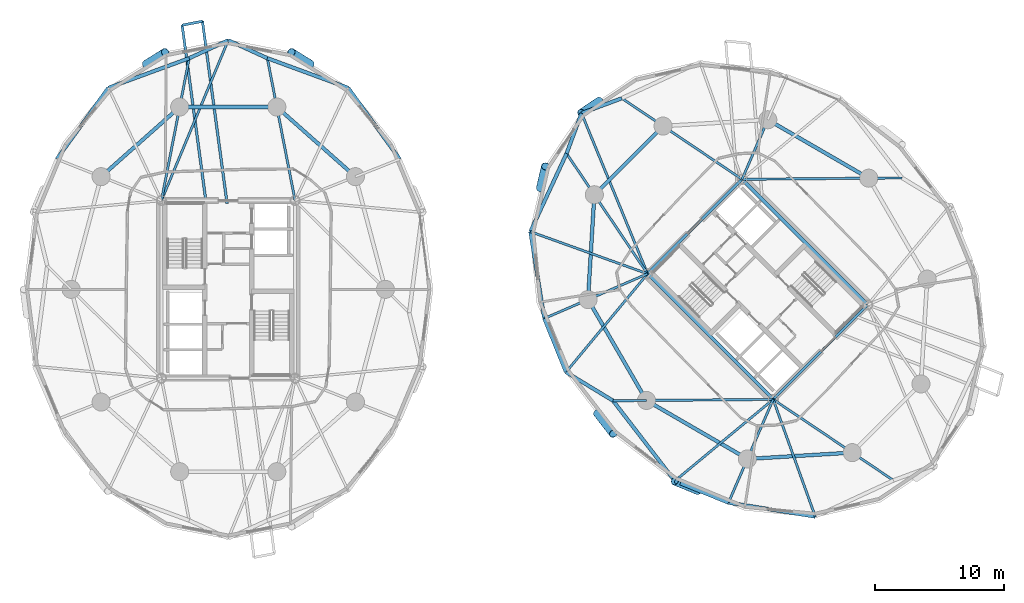
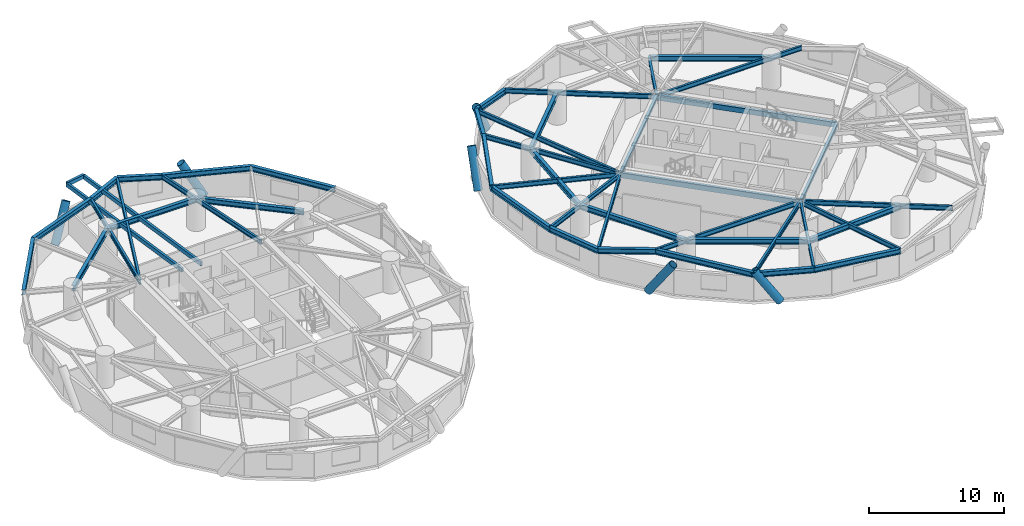
# One storey, part 5 of 16: 48 beams, 6 members.
"""IFC4 building model written with IfcOpenShell, lengths in metres."""

from ifc_helpers import new_model, si_unit, direction, frame, origin, origin_2d, place, context, subcontext, project, spatial, hollow_rectangle, hollow_circle, i_section, extrude, material, material_profile, profile_set, type_object, element, save


model = new_model("IFC4")

# Units and contexts
model_context = context("Model", 3, precision=1e-05, world=origin(), true_north=direction((0.0, 1.0)))
body_context = subcontext(model_context, "Body", "Model", "MODEL_VIEW")
ifc_project = project(units=[si_unit("LENGTHUNIT", "METRE"), si_unit("AREAUNIT", "SQUARE_METRE"), si_unit("VOLUMEUNIT", "CUBIC_METRE"), si_unit("PLANEANGLEUNIT", "RADIAN"), si_unit("MASSUNIT", "GRAM", prefix="KILO")], contexts=[model_context])

# Site, building, storey
site_placement = place(None, origin())
site = spatial("IfcSite", under=ifc_project, at=site_placement, CompositionType="ELEMENT")
building_placement = place(site_placement, origin())
building = spatial("IfcBuilding", under=site, at=building_placement, Name="Cununo Teusaquillo Station Towers", CompositionType="ELEMENT")
storey_placement = place(building_placement, frame((0.0, 0.0, 73.06005859375)))
storey = spatial("IfcBuildingStorey", under=building, at=storey_placement, Name="L22", CompositionType="ELEMENT", Elevation=73.06005859375)

# Beams
ifc_material_1 = material(Name="Steel EN 10025-2 S355J2", Category="steel")
ifc_material_profile_1 = material_profile(ifc_material_1, hollow_rectangle(XDim=0.199951171875, YDim=0.35009765625, WallThickness=0.013916015625, at=origin_2d()), Name="RHS 350x200x14")
ifc_profile_set_1 = profile_set([ifc_material_profile_1], Name="Steel EN 10025-2 S355J2")
beam_type_1 = type_object("IfcBeamType", Name="BM-BAL-CANT", PredefinedType="BEAM", material=ifc_profile_set_1)
beam_1_placement = place(storey_placement, frame((16.40869140625, 31.14990234375, 2.494873046875), z_axis=(-0.133936551357, 0.990989909237, 0.0), x_axis=(-0.990989909237, -0.133936551357, 0.0)))
element("IfcBeam", 1, at=beam_1_placement, inside=storey, type_object=beam_type_1, Name="L22 Tower A Balcony Cantilever Bracket 1A", PredefinedType="BEAM", context=body_context, shape_type="SweptSolid", body=[
    extrude(hollow_rectangle(XDim=0.199951171875, YDim=0.35009765625, WallThickness=0.013916015625, at=origin_2d()), origin(), (0.0, 0.0, 1.0), 14.24169921875),
])
beam_2_placement = place(storey_placement, frame((14.793701171875, 31.14990234375, 2.494873046875), z_axis=(-0.133960678738, 0.990986648019, 0.0), x_axis=(-0.990986648019, -0.133960678738, 0.0)))
element("IfcBeam", 2, at=beam_2_placement, inside=storey, type_object=beam_type_1, Name="L22 Tower A Balcony Cantilever Bracket 1B", PredefinedType="BEAM", context=body_context, shape_type="SweptSolid", body=[
    extrude(hollow_rectangle(XDim=0.199951171875, YDim=0.35009765625, WallThickness=0.013916015625, at=origin_2d()), origin(), (0.0, 0.0, 1.0), 13.9345703125),
])
ifc_material_2 = material(Name="Steel EN 10025-2 S355J2", Category="steel")
ifc_material_profile_2 = material_profile(ifc_material_2, hollow_rectangle(XDim=0.25, YDim=0.449951171875, WallThickness=0.01611328125, at=origin_2d()), Name="RHS 450x250x16")
ifc_profile_set_2 = profile_set([ifc_material_profile_2], Name="Steel EN 10025-2 S355J2")
beam_type_2 = type_object("IfcBeamType", Name="BM-COUP-1", PredefinedType="USERDEFINED", material=ifc_profile_set_2)
for number, where, z_axis, x_axis, name in (
    (3, (58.70556640625, 15.975830078125, 2.44482421875), (-0.707106781187, 0.707106781187, 0.0), (-0.707106781187, -0.707106781187, 0.0), "L22 Tower B Core Beam 1"),
    (4, (66.024169921875, 23.29443359375, 2.44482421875), (-0.707106781187, 0.707106781187, 0.0), (-0.707106781187, -0.707106781187, 0.0), "L22 Tower B Core Beam 2"),
):
    element("IfcBeam", number, at=place(storey_placement, frame(where, z_axis=z_axis, x_axis=x_axis)), inside=storey, type_object=beam_type_2, Name=name, ObjectType="COUPLING BEAM", PredefinedType="USERDEFINED", context=body_context, shape_type="SweptSolid", body=[
        extrude(hollow_rectangle(XDim=0.25, YDim=0.449951171875, WallThickness=0.01611328125, at=origin_2d()), origin(), (0.0, 0.0, 1.0), 13.760009765625),
    ])
ifc_material_3 = material(Name="Steel ASTM A572 Grade 50", Category="steel")
ifc_material_profile_3 = material_profile(ifc_material_3, i_section(OverallWidth=0.180908203125, OverallDepth=0.4169921875, WebThickness=0.010986328125, FlangeThickness=0.018310546875, FilletRadius=0.012939453125, at=origin_2d()), Name="W16X57")
ifc_profile_set_3 = profile_set([ifc_material_profile_3], Name="Steel ASTM A572 Grade 50")
beam_type_3 = type_object("IfcBeamType", Name="BM-JOIST-1", PredefinedType="JOIST", material=ifc_profile_set_3)
beam_3_placement = place(storey_placement, frame((11.324951171875, 31.3798828125, 2.46142578125), z_axis=(0.38487837995, 0.922967297713, 0.0), x_axis=(-0.922967297713, 0.38487837995, 0.0)))
element("IfcBeam", 5, at=beam_3_placement, inside=storey, type_object=beam_type_3, Name="L22 Tower A Radial Spandrel Joist V05", PredefinedType="JOIST", context=body_context, shape_type="SweptSolid", body=[
    extrude(i_section(OverallWidth=0.180908203125, OverallDepth=0.4169921875, WebThickness=0.010986328125, FlangeThickness=0.018310546875, FilletRadius=0.012939453125, at=origin_2d()), origin(), (0.0, 0.0, 1.0), 13.446044921875),
])
beam_4_placement = place(storey_placement, frame((48.975830078125, 25.70556640625, 2.46142578125), z_axis=(-0.380485864505, 0.924786735908, 0.0), x_axis=(-0.924786735908, -0.380485864505, 0.0)))
element("IfcBeam", 6, at=beam_4_placement, inside=storey, type_object=beam_type_3, Name="L22 Tower B Radial Spandrel Joist V05", PredefinedType="JOIST", context=body_context, shape_type="SweptSolid", body=[
    extrude(i_section(OverallWidth=0.180908203125, OverallDepth=0.4169921875, WebThickness=0.010986328125, FlangeThickness=0.018310546875, FilletRadius=0.012939453125, at=origin_2d()), origin(), (0.0, 0.0, 1.0), 13.44580078125),
])
beam_5_placement = place(storey_placement, frame((48.975830078125, 25.70556640625, 2.46142578125), z_axis=(-0.941082771055, 0.338176312038, 0.0), x_axis=(-0.338176312038, -0.941082771055, 0.0)))
element("IfcBeam", 7, at=beam_5_placement, inside=storey, type_object=beam_type_3, Name="L22 Tower B Radial Spandrel Joist V07", PredefinedType="JOIST", context=body_context, shape_type="SweptSolid", body=[
    extrude(i_section(OverallWidth=0.180908203125, OverallDepth=0.4169921875, WebThickness=0.010986328125, FlangeThickness=0.018310546875, FilletRadius=0.012939453125, at=origin_2d()), origin(), (0.0, 0.0, 1.0), 9.646484375),
])
for number, where, z_axis, x_axis, name in (
    (8, (48.975830078125, 25.70556640625, 2.46142578125), (-0.638372238196, -0.769727799615, 0.0), (0.769727799615, -0.638372238196, 0.0), "L22 Tower B Radial Spandrel Joist V09"),
    (9, (58.70556640625, 15.975830078125, 2.46142578125), (-0.769727799615, -0.638372238196, 0.0), (0.638372238196, -0.769727799615, 0.0), "L22 Tower B Radial Spandrel Joist V11"),
):
    element("IfcBeam", number, at=place(storey_placement, frame(where, z_axis=z_axis, x_axis=x_axis)), inside=storey, type_object=beam_type_3, Name=name, PredefinedType="JOIST", context=body_context, shape_type="SweptSolid", body=[
        extrude(i_section(OverallWidth=0.180908203125, OverallDepth=0.4169921875, WebThickness=0.010986328125, FlangeThickness=0.018310546875, FilletRadius=0.012939453125, at=origin_2d()), origin(), (0.0, 0.0, 1.0), 9.895263671875),
    ])
beam_6_placement = place(storey_placement, frame((58.70556640625, 15.975830078125, 2.46142578125), z_axis=(0.338176312038, -0.941082771055, 0.0), x_axis=(0.941082771055, 0.338176312038, 0.0)))
element("IfcBeam", 10, at=beam_6_placement, inside=storey, type_object=beam_type_3, Name="L22 Tower B Radial Spandrel Joist V13", PredefinedType="JOIST", context=body_context, shape_type="SweptSolid", body=[
    extrude(i_section(OverallWidth=0.180908203125, OverallDepth=0.4169921875, WebThickness=0.010986328125, FlangeThickness=0.018310546875, FilletRadius=0.012939453125, at=origin_2d()), origin(), (0.0, 0.0, 1.0), 9.646484375),
])
ifc_material_4 = material(Name="Steel ASTM A572 Grade 50", Category="steel")
ifc_material_profile_4 = material_profile(ifc_material_4, i_section(OverallWidth=0.2041015625, OverallDepth=0.35009765625, WebThickness=0.008544921875, FlangeThickness=0.01513671875, FilletRadius=0.011962890625, at=origin_2d()), Name="W14X48")
ifc_profile_set_4 = profile_set([ifc_material_profile_4], Name="Steel ASTM A572 Grade 50")
beam_type_4 = type_object("IfcBeamType", Name="BM-LINTEL-1", PredefinedType="LINTEL", material=ifc_profile_set_4)
for number, where, z_axis, x_axis, name in (
    (11, (58.70556640625, 15.975830078125, 2.494873046875), (0.707106781187, 0.707106781187, 0.0), (-0.707106781187, 0.707106781187, 0.0), "L22 Tower B Core Beam 3"),
    (12, (48.975830078125, 25.70556640625, 2.494873046875), (0.707106781187, 0.707106781187, 0.0), (-0.707106781187, 0.707106781187, 0.0), "L22 Tower B Core Beam 4"),
):
    element("IfcBeam", number, at=place(storey_placement, frame(where, z_axis=z_axis, x_axis=x_axis)), inside=storey, type_object=beam_type_4, Name=name, PredefinedType="LINTEL", context=body_context, shape_type="SweptSolid", body=[
        extrude(i_section(OverallWidth=0.2041015625, OverallDepth=0.35009765625, WebThickness=0.008544921875, FlangeThickness=0.01513671875, FilletRadius=0.011962890625, at=origin_2d()), origin(), (0.0, 0.0, 1.0), 10.35009765625),
    ])
ifc_material_5 = material(Name="Steel ASTM A572 Grade 50", Category="steel")
ifc_material_profile_5 = material_profile(ifc_material_5, i_section(OverallWidth=0.180908203125, OverallDepth=0.4169921875, WebThickness=0.010986328125, FlangeThickness=0.018310546875, FilletRadius=0.012939453125, at=origin_2d()), Name="W16X57")
ifc_profile_set_5 = profile_set([ifc_material_profile_5], Name="Steel ASTM A572 Grade 50")
beam_type_5 = type_object("IfcBeamType", Name="BM-RAD-G2", PredefinedType="BEAM", material=ifc_profile_set_5)
for number, where, z_axis, x_axis, name in (
    (13, (21.675048828125, 31.3798828125, 2.46142578125), (-0.191552755713, 0.981482318628, 0.0), (-0.981482318628, -0.191552755713, 0.0), "L22 Tower A Continuous Overhanging Radial Girder 03"),
    (14, (11.324951171875, 31.3798828125, 2.46142578125), (0.191552755713, 0.981482318628, 0.0), (-0.981482318628, 0.191552755713, 0.0), "L22 Tower A Continuous Overhanging Radial Girder 04"),
):
    element("IfcBeam", number, at=place(storey_placement, frame(where, z_axis=z_axis, x_axis=x_axis)), inside=storey, type_object=beam_type_5, Name=name, PredefinedType="BEAM", context=body_context, shape_type="SweptSolid", body=[
        extrude(i_section(OverallWidth=0.180908203125, OverallDepth=0.4169921875, WebThickness=0.010986328125, FlangeThickness=0.018310546875, FilletRadius=0.012939453125, at=origin_2d()), origin(), (0.0, 0.0, 1.0), 11.22998046875),
    ])
beam_7_placement = place(storey_placement, frame((56.29443359375, 33.024169921875, 2.46142578125), z_axis=(0.999964331255, 0.008446077024, 0.0), x_axis=(-0.008446077024, 0.999964331255, 0.0)))
element("IfcBeam", 15, at=beam_7_placement, inside=storey, type_object=beam_type_5, Name="L22 Tower B Continuous Overhanging Radial Girder 01", PredefinedType="BEAM", context=body_context, shape_type="SweptSolid", body=[
    extrude(i_section(OverallWidth=0.180908203125, OverallDepth=0.4169921875, WebThickness=0.010986328125, FlangeThickness=0.018310546875, FilletRadius=0.012939453125, at=origin_2d()), origin(), (0.0, 0.0, 1.0), 12.400634765625),
])
beam_8_placement = place(storey_placement, frame((56.29443359375, 33.024169921875, 2.46142578125), z_axis=(0.397346986387, 0.917668443616, 0.0), x_axis=(-0.917668443616, 0.397346986387, 0.0)))
element("IfcBeam", 16, at=beam_8_placement, inside=storey, type_object=beam_type_5, Name="L22 Tower B Radial Girder 02A", PredefinedType="BEAM", context=body_context, shape_type="SweptSolid", body=[
    extrude(i_section(OverallWidth=0.180908203125, OverallDepth=0.4169921875, WebThickness=0.010986328125, FlangeThickness=0.018310546875, FilletRadius=0.012939453125, at=origin_2d()), origin(), (0.0, 0.0, 1.0), 5.02490234375),
])
for number, where, z_axis, x_axis, name in (
    (17, (56.29443359375, 33.024169921875, 2.46142578125), (-0.82945583878, 0.558572297481, 0.0), (-0.558572297481, -0.82945583878, 0.0), "L22 Tower B Continuous Overhanging Radial Girder 03"),
    (18, (48.975830078125, 25.70556640625, 2.46142578125), (-0.558572297481, 0.82945583878, 0.0), (-0.82945583878, -0.558572297481, 0.0), "L22 Tower B Continuous Overhanging Radial Girder 04"),
):
    element("IfcBeam", number, at=place(storey_placement, frame(where, z_axis=z_axis, x_axis=x_axis)), inside=storey, type_object=beam_type_5, Name=name, PredefinedType="BEAM", context=body_context, shape_type="SweptSolid", body=[
        extrude(i_section(OverallWidth=0.180908203125, OverallDepth=0.4169921875, WebThickness=0.010986328125, FlangeThickness=0.018310546875, FilletRadius=0.012939453125, at=origin_2d()), origin(), (0.0, 0.0, 1.0), 11.22998046875),
    ])
beam_9_placement = place(storey_placement, frame((48.975830078125, 25.70556640625, 2.46142578125), z_axis=(-0.917654733344, -0.397378648609, 0.0), x_axis=(0.397378648609, -0.917654733344, 0.0)))
element("IfcBeam", 19, at=beam_9_placement, inside=storey, type_object=beam_type_5, Name="L22 Tower B Continuous Overhanging Radial Girder 05", PredefinedType="BEAM", context=body_context, shape_type="SweptSolid", body=[
    extrude(i_section(OverallWidth=0.180908203125, OverallDepth=0.4169921875, WebThickness=0.010986328125, FlangeThickness=0.018310546875, FilletRadius=0.012939453125, at=origin_2d()), origin(), (0.0, 0.0, 1.0), 8.71484375),
])
beam_10_placement = place(storey_placement, frame((58.70556640625, 15.975830078125, 2.46142578125), z_axis=(-0.999964431382, -0.008434214327, 0.0), x_axis=(0.008434214327, -0.999964431382, 0.0)))
element("IfcBeam", 20, at=beam_10_placement, inside=storey, type_object=beam_type_5, Name="L22 Tower B Radial Girder 06A", PredefinedType="BEAM", context=body_context, shape_type="SweptSolid", body=[
    extrude(i_section(OverallWidth=0.180908203125, OverallDepth=0.4169921875, WebThickness=0.010986328125, FlangeThickness=0.018310546875, FilletRadius=0.012939453125, at=origin_2d()), origin(), (0.0, 0.0, 1.0), 9.812744140625),
])
beam_11_placement = place(storey_placement, frame((48.89306640625, 15.89306640625, 2.46142578125), z_axis=(-0.999963950292, -0.008491060999, 0.0), x_axis=(0.008491060999, -0.999963950292, 0.0)))
element("IfcBeam", 21, at=beam_11_placement, inside=storey, type_object=beam_type_5, Name="L22 Tower B Perimeter Overhang Girder 06B", PredefinedType="BEAM", context=body_context, shape_type="SweptSolid", body=[
    extrude(i_section(OverallWidth=0.180908203125, OverallDepth=0.4169921875, WebThickness=0.010986328125, FlangeThickness=0.018310546875, FilletRadius=0.012939453125, at=origin_2d()), origin(), (0.0, 0.0, 1.0), 2.587646484375),
])
beam_12_placement = place(storey_placement, frame((58.70556640625, 15.975830078125, 2.46142578125), z_axis=(-0.397378648609, -0.917654733344, 0.0), x_axis=(0.917654733344, -0.397378648609, 0.0)))
element("IfcBeam", 22, at=beam_12_placement, inside=storey, type_object=beam_type_5, Name="L22 Tower B Continuous Overhanging Radial Girder 07", PredefinedType="BEAM", context=body_context, shape_type="SweptSolid", body=[
    extrude(i_section(OverallWidth=0.180908203125, OverallDepth=0.4169921875, WebThickness=0.010986328125, FlangeThickness=0.018310546875, FilletRadius=0.012939453125, at=origin_2d()), origin(), (0.0, 0.0, 1.0), 8.71484375),
])
beam_13_placement = place(storey_placement, frame((58.70556640625, 15.975830078125, 2.46142578125), z_axis=(0.82945583878, -0.558572297481, 0.0), x_axis=(0.558572297481, 0.82945583878, 0.0)))
element("IfcBeam", 23, at=beam_13_placement, inside=storey, type_object=beam_type_5, Name="L22 Tower B Continuous Overhanging Radial Girder 08", PredefinedType="BEAM", context=body_context, shape_type="SweptSolid", body=[
    extrude(i_section(OverallWidth=0.180908203125, OverallDepth=0.4169921875, WebThickness=0.010986328125, FlangeThickness=0.018310546875, FilletRadius=0.012939453125, at=origin_2d()), origin(), (0.0, 0.0, 1.0), 11.22998046875),
])
ifc_material_6 = material(Name="Steel ASTM A572 Grade 50", Category="steel")
ifc_material_profile_6 = material_profile(ifc_material_6, i_section(OverallWidth=0.280029296875, OverallDepth=0.462890625, WebThickness=0.0107421875, FlangeThickness=0.017333984375, FilletRadius=0.013916015625, at=origin_2d()), Name="W18X76")
ifc_profile_set_6 = profile_set([ifc_material_profile_6], Name="Steel ASTM A572 Grade 50")
beam_type_6 = type_object("IfcBeamType", Name="BM-RING-Z2", PredefinedType="SPANDREL", material=ifc_profile_set_6)
beam_14_placement = place(storey_placement, frame((26.347412109375, 33.228515625, 2.4384765625), z_axis=(-0.74832120039, 0.66333655187, 0.0), x_axis=(-0.66333655187, -0.74832120039, 0.0)))
element("IfcBeam", 24, at=beam_14_placement, inside=storey, type_object=beam_type_6, Name="L22 Tower A Structural Column Ring Girder 02", PredefinedType="SPANDREL", context=body_context, shape_type="SweptSolid", body=[
    extrude(i_section(OverallWidth=0.280029296875, OverallDepth=0.462890625, WebThickness=0.0107421875, FlangeThickness=0.017333984375, FilletRadius=0.013916015625, at=origin_2d()), origin(), (0.0, 0.0, 1.0), 8.1328125),
])
beam_15_placement = place(storey_placement, frame((20.261474609375, 38.623291015625, 2.4384765625), z_axis=(-1.0, 0.0, 0.0), x_axis=(0.0, -1.0, 0.0)))
element("IfcBeam", 25, at=beam_15_placement, inside=storey, type_object=beam_type_6, Name="L22 Tower A Structural Column Ring Girder 03", PredefinedType="SPANDREL", context=body_context, shape_type="SweptSolid", body=[
    extrude(i_section(OverallWidth=0.280029296875, OverallDepth=0.462890625, WebThickness=0.0107421875, FlangeThickness=0.017333984375, FilletRadius=0.013916015625, at=origin_2d()), origin(), (0.0, 0.0, 1.0), 7.52294921875),
])
beam_16_placement = place(storey_placement, frame((12.738525390625, 38.623291015625, 2.4384765625), z_axis=(-0.74832120039, -0.66333655187, 0.0), x_axis=(0.66333655187, -0.74832120039, 0.0)))
element("IfcBeam", 26, at=beam_16_placement, inside=storey, type_object=beam_type_6, Name="L22 Tower A Structural Column Ring Girder 04", PredefinedType="SPANDREL", context=body_context, shape_type="SweptSolid", body=[
    extrude(i_section(OverallWidth=0.280029296875, OverallDepth=0.462890625, WebThickness=0.0107421875, FlangeThickness=0.017333984375, FilletRadius=0.013916015625, at=origin_2d()), origin(), (0.0, 0.0, 1.0), 8.1328125),
])
beam_17_placement = place(storey_placement, frame((29.77880859375, 34.586181640625, 2.4384765625), z_axis=(-0.58594455724, 0.810351143543, 0.0), x_axis=(-0.810351143543, -0.58594455724, 0.0)))
element("IfcBeam", 27, at=beam_17_placement, inside=storey, type_object=beam_type_6, Name="L22 Tower A Spandrel Ring Beam 03", PredefinedType="SPANDREL", context=body_context, shape_type="SweptSolid", body=[
    extrude(i_section(OverallWidth=0.280029296875, OverallDepth=0.462890625, WebThickness=0.0107421875, FlangeThickness=0.017333984375, FilletRadius=0.013916015625, at=origin_2d()), origin(), (0.0, 0.0, 1.0), 6.8115234375),
])
beam_18_placement = place(storey_placement, frame((25.78759765625, 40.10595703125, 2.4384765625), z_axis=(-0.938914161016, 0.34415141761, 0.0), x_axis=(-0.34415141761, -0.938914161016, 0.0)))
element("IfcBeam", 28, at=beam_18_placement, inside=storey, type_object=beam_type_6, Name="L22 Tower A Spandrel Ring Beam 04", PredefinedType="SPANDREL", context=body_context, shape_type="SweptSolid", body=[
    extrude(i_section(OverallWidth=0.280029296875, OverallDepth=0.462890625, WebThickness=0.0107421875, FlangeThickness=0.017333984375, FilletRadius=0.013916015625, at=origin_2d()), origin(), (0.0, 0.0, 1.0), 6.671142578125),
])
for number, where, z_axis, x_axis, name in (
    (29, (19.52392578125, 42.40185546875, 2.4384765625), (-0.908812215281, 0.417205413862, 0.0), (-0.417205413862, -0.908812215281, 0.0), "L22 Tower A Spandrel Ring Beam 05"),
    (30, (16.5, 43.7900390625, 2.4384765625), (-0.908812215281, -0.417205413862, 0.0), (0.417205413862, -0.908812215281, 0.0), "L22 Tower A Spandrel Ring Beam 06"),
):
    element("IfcBeam", number, at=place(storey_placement, frame(where, z_axis=z_axis, x_axis=x_axis)), inside=storey, type_object=beam_type_6, Name=name, PredefinedType="SPANDREL", context=body_context, shape_type="SweptSolid", body=[
        extrude(i_section(OverallWidth=0.280029296875, OverallDepth=0.462890625, WebThickness=0.0107421875, FlangeThickness=0.017333984375, FilletRadius=0.013916015625, at=origin_2d()), origin(), (0.0, 0.0, 1.0), 3.327392578125),
    ])
beam_19_placement = place(storey_placement, frame((13.47607421875, 42.40185546875, 2.4384765625), z_axis=(-0.938914161016, -0.34415141761, 0.0), x_axis=(0.34415141761, -0.938914161016, 0.0)))
element("IfcBeam", 31, at=beam_19_placement, inside=storey, type_object=beam_type_6, Name="L22 Tower A Spandrel Ring Beam 07", PredefinedType="SPANDREL", context=body_context, shape_type="SweptSolid", body=[
    extrude(i_section(OverallWidth=0.280029296875, OverallDepth=0.462890625, WebThickness=0.0107421875, FlangeThickness=0.017333984375, FilletRadius=0.013916015625, at=origin_2d()), origin(), (0.0, 0.0, 1.0), 6.671142578125),
])
beam_20_placement = place(storey_placement, frame((7.21240234375, 40.10595703125, 2.4384765625), z_axis=(-0.58594455724, -0.810351143543, 0.0), x_axis=(0.810351143543, -0.58594455724, 0.0)))
element("IfcBeam", 32, at=beam_20_placement, inside=storey, type_object=beam_type_6, Name="L22 Tower A Spandrel Ring Beam 08", PredefinedType="SPANDREL", context=body_context, shape_type="SweptSolid", body=[
    extrude(i_section(OverallWidth=0.280029296875, OverallDepth=0.462890625, WebThickness=0.0107421875, FlangeThickness=0.017333984375, FilletRadius=0.013916015625, at=origin_2d()), origin(), (0.0, 0.0, 1.0), 6.8115234375),
])
beam_21_placement = place(storey_placement, frame((66.10693359375, 33.10693359375, 2.4384765625), z_axis=(-0.865267103202, 0.501311121078, 0.0), x_axis=(-0.501311121078, -0.865267103202, 0.0)))
element("IfcBeam", 33, at=beam_21_placement, inside=storey, type_object=beam_type_6, Name="L22 Tower B Structural Column Ring Girder 01", PredefinedType="SPANDREL", context=body_context, shape_type="SweptSolid", body=[
    extrude(i_section(OverallWidth=0.280029296875, OverallDepth=0.462890625, WebThickness=0.0107421875, FlangeThickness=0.017333984375, FilletRadius=0.013916015625, at=origin_2d()), origin(), (0.0, 0.0, 1.0), 9.032958984375),
])
beam_22_placement = place(storey_placement, frame((50.173095703125, 37.146240234375, 2.4384765625), z_axis=(-0.707106781187, -0.707106781187, 0.0), x_axis=(0.707106781187, -0.707106781187, 0.0)))
element("IfcBeam", 34, at=beam_22_placement, inside=storey, type_object=beam_type_6, Name="L22 Tower B Structural Column Ring Girder 03", PredefinedType="SPANDREL", context=body_context, shape_type="SweptSolid", body=[
    extrude(i_section(OverallWidth=0.280029296875, OverallDepth=0.462890625, WebThickness=0.0107421875, FlangeThickness=0.017333984375, FilletRadius=0.013916015625, at=origin_2d()), origin(), (0.0, 0.0, 1.0), 7.522705078125),
])
beam_23_placement = place(storey_placement, frame((44.853759765625, 31.826904296875, 2.4384765625), z_axis=(-0.06012979176, -0.998190567048, 0.0), x_axis=(0.998190567048, -0.06012979176, 0.0)))
element("IfcBeam", 35, at=beam_23_placement, inside=storey, type_object=beam_type_6, Name="L22 Tower B Structural Column Ring Girder 04", PredefinedType="SPANDREL", context=body_context, shape_type="SweptSolid", body=[
    extrude(i_section(OverallWidth=0.280029296875, OverallDepth=0.462890625, WebThickness=0.0107421875, FlangeThickness=0.017333984375, FilletRadius=0.013916015625, at=origin_2d()), origin(), (0.0, 0.0, 1.0), 8.132568359375),
])
for number, where, z_axis, x_axis, name in (
    (36, (44.36474609375, 23.708984375, 2.4384765625), (0.501311121078, -0.865267103202, 0.0), (0.865267103202, 0.501311121078, 0.0), "L22 Tower B Structural Column Ring Girder 05"),
    (37, (48.89306640625, 15.89306640625, 2.4384765625), (0.865267103202, -0.501311121078, 0.0), (0.501311121078, 0.865267103202, 0.0), "L22 Tower B Structural Column Ring Girder 06"),
):
    element("IfcBeam", number, at=place(storey_placement, frame(where, z_axis=z_axis, x_axis=x_axis)), inside=storey, type_object=beam_type_6, Name=name, PredefinedType="SPANDREL", context=body_context, shape_type="SweptSolid", body=[
        extrude(i_section(OverallWidth=0.280029296875, OverallDepth=0.462890625, WebThickness=0.0107421875, FlangeThickness=0.017333984375, FilletRadius=0.013916015625, at=origin_2d()), origin(), (0.0, 0.0, 1.0), 9.032958984375),
    ])
beam_24_placement = place(storey_placement, frame((56.708984375, 11.36474609375, 2.4384765625), z_axis=(0.998190567048, 0.06012979176, 0.0), x_axis=(-0.06012979176, 0.998190567048, 0.0)))
element("IfcBeam", 38, at=beam_24_placement, inside=storey, type_object=beam_type_6, Name="L22 Tower B Structural Column Ring Girder 07", PredefinedType="SPANDREL", context=body_context, shape_type="SweptSolid", body=[
    extrude(i_section(OverallWidth=0.280029296875, OverallDepth=0.462890625, WebThickness=0.0107421875, FlangeThickness=0.017333984375, FilletRadius=0.013916015625, at=origin_2d()), origin(), (0.0, 0.0, 1.0), 8.132568359375),
])
for number, where, z_axis, x_axis, name in (
    (39, (46.979736328125, 39.296875, 2.4384765625), (-0.937628334414, -0.347639333943, 0.0), (0.347639333943, -0.937628334414, 0.0), "L22 Tower B Spandrel Ring Beam 05"),
    (40, (43.85986328125, 38.14013671875, 2.4384765625), (-0.347639333943, -0.937628334414, 0.0), (0.937628334414, -0.347639333943, 0.0), "L22 Tower B Spandrel Ring Beam 06"),
):
    element("IfcBeam", number, at=place(storey_placement, frame(where, z_axis=z_axis, x_axis=x_axis)), inside=storey, type_object=beam_type_6, Name=name, PredefinedType="SPANDREL", context=body_context, shape_type="SweptSolid", body=[
        extrude(i_section(OverallWidth=0.280029296875, OverallDepth=0.462890625, WebThickness=0.0107421875, FlangeThickness=0.017333984375, FilletRadius=0.013916015625, at=origin_2d()), origin(), (0.0, 0.0, 1.0), 3.327392578125),
    ])
beam_25_placement = place(storey_placement, frame((42.703125, 35.020263671875, 2.4384765625), z_axis=(-0.420535961689, -0.907275870354, 0.0), x_axis=(0.907275870354, -0.420535961689, 0.0)))
element("IfcBeam", 41, at=beam_25_placement, inside=storey, type_object=beam_type_6, Name="L22 Tower B Spandrel Ring Beam 07", PredefinedType="SPANDREL", context=body_context, shape_type="SweptSolid", body=[
    extrude(i_section(OverallWidth=0.280029296875, OverallDepth=0.462890625, WebThickness=0.0107421875, FlangeThickness=0.017333984375, FilletRadius=0.013916015625, at=origin_2d()), origin(), (0.0, 0.0, 1.0), 6.671142578125),
])
beam_26_placement = place(storey_placement, frame((39.897705078125, 28.9677734375, 2.4384765625), z_axis=(0.158671232312, -0.987331474246, 0.0), x_axis=(0.987331474246, 0.158671232312, 0.0)))
element("IfcBeam", 42, at=beam_26_placement, inside=storey, type_object=beam_type_6, Name="L22 Tower B Spandrel Ring Beam 08", PredefinedType="SPANDREL", context=body_context, shape_type="SweptSolid", body=[
    extrude(i_section(OverallWidth=0.280029296875, OverallDepth=0.462890625, WebThickness=0.0107421875, FlangeThickness=0.017333984375, FilletRadius=0.013916015625, at=origin_2d()), origin(), (0.0, 0.0, 1.0), 6.8115234375),
])
beam_27_placement = place(storey_placement, frame((40.978515625, 22.242431640625, 2.4384765625), z_axis=(0.375042266631, -0.927007712072, 0.0), x_axis=(0.927007712072, 0.375042266631, 0.0)))
element("IfcBeam", 43, at=beam_27_placement, inside=storey, type_object=beam_type_6, Name="L22 Tower B Spandrel Ring Beam 09", PredefinedType="SPANDREL", context=body_context, shape_type="SweptSolid", body=[
    extrude(i_section(OverallWidth=0.280029296875, OverallDepth=0.462890625, WebThickness=0.0107421875, FlangeThickness=0.017333984375, FilletRadius=0.013916015625, at=origin_2d()), origin(), (0.0, 0.0, 1.0), 4.480712890625),
])
beam_28_placement = place(storey_placement, frame((42.658935546875, 18.0888671875, 2.4384765625), z_axis=(0.854388492444, -0.519634779416, 0.0), x_axis=(0.519634779416, 0.854388492444, 0.0)))
element("IfcBeam", 44, at=beam_28_placement, inside=storey, type_object=beam_type_6, Name="L22 Tower B Spandrel Ring Beam 10", PredefinedType="SPANDREL", context=body_context, shape_type="SweptSolid", body=[
    extrude(i_section(OverallWidth=0.280029296875, OverallDepth=0.462890625, WebThickness=0.0107421875, FlangeThickness=0.017333984375, FilletRadius=0.013916015625, at=origin_2d()), origin(), (0.0, 0.0, 1.0), 4.26806640625),
])
beam_29_placement = place(storey_placement, frame((46.305419921875, 15.87109375, 2.4384765625), z_axis=(0.610100441726, -0.792324082056, 0.0), x_axis=(0.792324082056, 0.610100441726, 0.0)))
element("IfcBeam", 45, at=beam_29_placement, inside=storey, type_object=beam_type_6, Name="L22 Tower B Spandrel Ring Beam 11", PredefinedType="SPANDREL", context=body_context, shape_type="SweptSolid", body=[
    extrude(i_section(OverallWidth=0.280029296875, OverallDepth=0.462890625, WebThickness=0.0107421875, FlangeThickness=0.017333984375, FilletRadius=0.013916015625, at=origin_2d()), origin(), (0.0, 0.0, 1.0), 7.84033203125),
])
beam_30_placement = place(storey_placement, frame((51.0888671875, 9.658935546875, 2.4384765625), z_axis=(0.927007712072, -0.375042266631, 0.0), x_axis=(0.375042266631, 0.927007712072, 0.0)))
element("IfcBeam", 46, at=beam_30_placement, inside=storey, type_object=beam_type_6, Name="L22 Tower B Spandrel Ring Beam 12", PredefinedType="SPANDREL", context=body_context, shape_type="SweptSolid", body=[
    extrude(i_section(OverallWidth=0.280029296875, OverallDepth=0.462890625, WebThickness=0.0107421875, FlangeThickness=0.017333984375, FilletRadius=0.013916015625, at=origin_2d()), origin(), (0.0, 0.0, 1.0), 4.480712890625),
])
beam_31_placement = place(storey_placement, frame((55.242431640625, 7.978515625, 2.4384765625), z_axis=(0.987331474246, -0.158671232312, 0.0), x_axis=(0.158671232312, 0.987331474246, 0.0)))
element("IfcBeam", 47, at=beam_31_placement, inside=storey, type_object=beam_type_6, Name="L22 Tower B Spandrel Ring Beam 13", PredefinedType="SPANDREL", context=body_context, shape_type="SweptSolid", body=[
    extrude(i_section(OverallWidth=0.280029296875, OverallDepth=0.462890625, WebThickness=0.0107421875, FlangeThickness=0.017333984375, FilletRadius=0.013916015625, at=origin_2d()), origin(), (0.0, 0.0, 1.0), 6.8115234375),
])
ifc_material_7 = material(Name="Steel EN 10025-2 S355J2", Category="steel")
ifc_material_profile_7 = material_profile(ifc_material_7, hollow_rectangle(XDim=0.199951171875, YDim=0.35009765625, WallThickness=0.013916015625, at=origin_2d()), Name="RHS 350x200x14")
ifc_profile_set_7 = profile_set([ifc_material_profile_7], Name="Steel EN 10025-2 S355J2")
beam_type_7 = type_object("IfcBeamType", Name="BM-STAIR-TRIM", PredefinedType="BEAM", material=ifc_profile_set_7)
beam_32_placement = place(storey_placement, frame((14.501220703125, 45.26318359375, 2.52490234375), z_axis=(-0.981836621572, -0.189728354603, 0.0), x_axis=(0.189728354603, -0.981836621572, 0.0)))
element("IfcBeam", 48, at=beam_32_placement, inside=storey, type_object=beam_type_7, Name="L22 Tower A Balcony Edge Trimmer Beam 1", PredefinedType="BEAM", context=body_context, shape_type="SweptSolid", body=[
    extrude(hollow_rectangle(XDim=0.199951171875, YDim=0.35009765625, WallThickness=0.013916015625, at=origin_2d()), origin(), (0.0, 0.0, 1.0), 1.603271484375),
])

# Members
ifc_material_8 = material(Name="Steel EN 10025-2 S355J2", Category="steel")
ifc_material_profile_8 = material_profile(ifc_material_8, hollow_circle(Radius=0.330078125, WallThickness=0.02490234375, at=origin_2d()), Name="CHS 660x25")
ifc_profile_set_8 = profile_set([ifc_material_profile_8], Name="Steel EN 10025-2 S355J2")
member_type = type_object("IfcMemberType", Name="MBR-DIAG-Z2", PredefinedType="BRACE", material=ifc_profile_set_8)
for number, where, z_axis, x_axis, name in (
    (49, (22.85107421875, 41.9326171875, -0.14013671875), (-0.433741137774, 0.269808047292, 0.859693109789), (-0.528195574716, -0.849122744278, 0.0), "L22 Tower A Folded-Zigzag Diagrid Tube C03"),
    (50, (10.14892578125, 41.9326171875, -0.14013671875), (0.433741137774, 0.269808047292, 0.859693109789), (-0.528195574716, 0.849122744278, 0.0), "L22 Tower A Folded-Zigzag Diagrid Tube C06"),
):
    element("IfcMember", number, at=place(storey_placement, frame(where, z_axis=z_axis, x_axis=x_axis)), inside=storey, type_object=member_type, Name=name, PredefinedType="BRACE", context=body_context, shape_type="SweptSolid", body=[
        extrude(hollow_circle(Radius=0.330078125, WallThickness=0.02490234375, at=origin_2d()), origin(), (0.0, 0.0, 1.0), 3.385009765625),
    ])
member_1_placement = place(storey_placement, frame((45.2333984375, 39.068603515625, -0.14013671875), z_axis=(-0.410098958558, -0.277214066725, 0.868890790261), x_axis=(0.560024081213, -0.828476329452, 0.0)))
element("IfcMember", 51, at=member_1_placement, inside=storey, type_object=member_type, Name="L22 Tower B Folded-Zigzag Diagrid Tube C04", PredefinedType="BRACE", context=body_context, shape_type="SweptSolid", body=[
    extrude(hollow_circle(Radius=0.330078125, WallThickness=0.02490234375, at=origin_2d()), origin(), (0.0, 0.0, 1.0), 3.349365234375),
])
member_2_placement = place(storey_placement, frame((40.682373046875, 32.335693359375, -0.14013671875), z_axis=(0.115899426578, 0.497494862811, 0.859689586069), x_axis=(-0.973920299704, 0.226890391653, 0.0)))
element("IfcMember", 52, at=member_2_placement, inside=storey, type_object=member_type, Name="L22 Tower B Folded-Zigzag Diagrid Tube C06", PredefinedType="BRACE", context=body_context, shape_type="SweptSolid", body=[
    extrude(hollow_circle(Radius=0.330078125, WallThickness=0.02490234375, at=origin_2d()), origin(), (0.0, 0.0, 1.0), 3.385009765625),
])
member_3_placement = place(storey_placement, frame((45.104248046875, 14.914306640625, -0.14013671875), z_axis=(0.346044496653, -0.449277419576, 0.823652236442), x_axis=(0.792243348803, 0.610205273886, 0.0)))
element("IfcMember", 53, at=member_3_placement, inside=storey, type_object=member_type, Name="L22 Tower B Folded-Zigzag Diagrid Tube C09", PredefinedType="BRACE", context=body_context, shape_type="SweptSolid", body=[
    extrude(hollow_circle(Radius=0.330078125, WallThickness=0.02490234375, at=origin_2d()), origin(), (0.0, 0.0, 1.0), 3.533203125),
])
member_4_placement = place(storey_placement, frame((52.885498046875, 8.92041015625, -0.14013671875), z_axis=(-0.513484265686, 0.211073502337, 0.831734263755), x_axis=(-0.380193455452, -0.924906987989, 0.0)))
element("IfcMember", 54, at=member_4_placement, inside=storey, type_object=member_type, Name="L22 Tower B Folded-Zigzag Diagrid Tube C11", PredefinedType="BRACE", context=body_context, shape_type="SweptSolid", body=[
    extrude(hollow_circle(Radius=0.330078125, WallThickness=0.02490234375, at=origin_2d()), origin(), (0.0, 0.0, 1.0), 3.4990234375),
])

save(model, "model.ifc")
